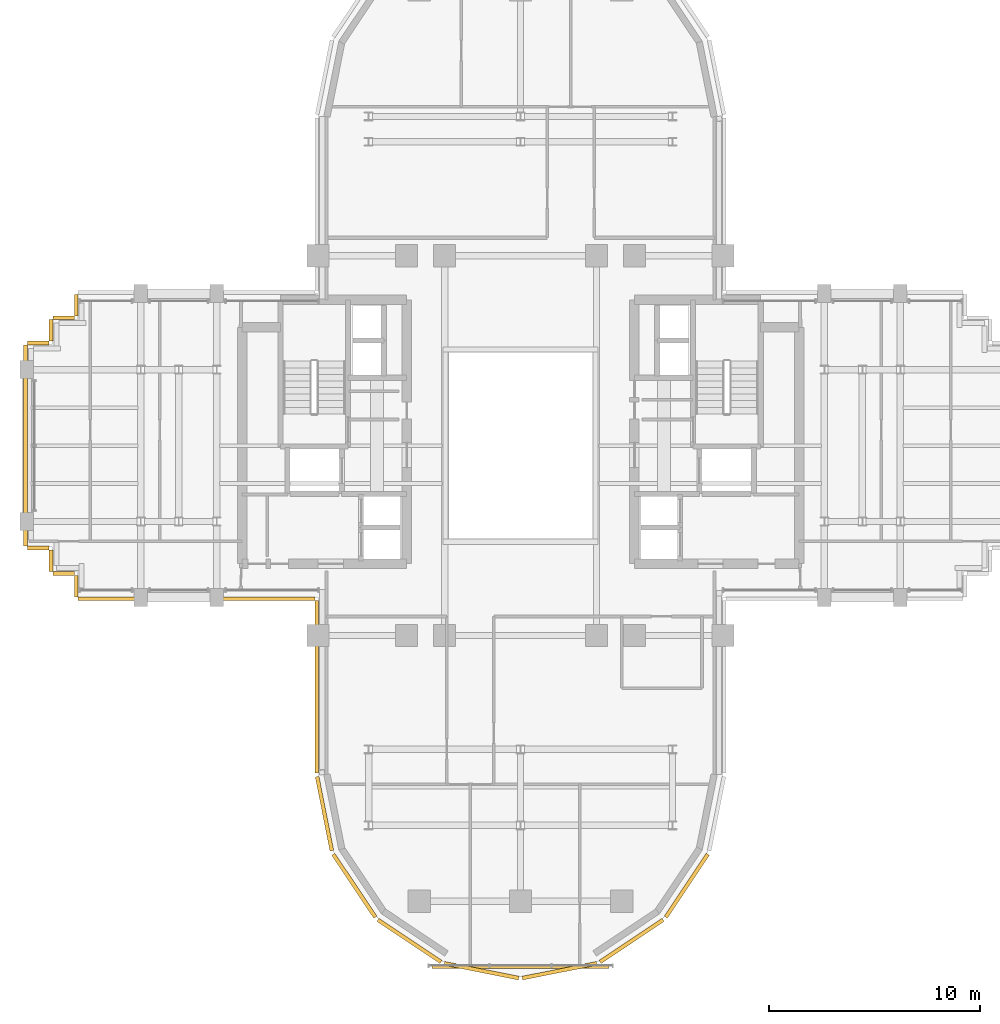
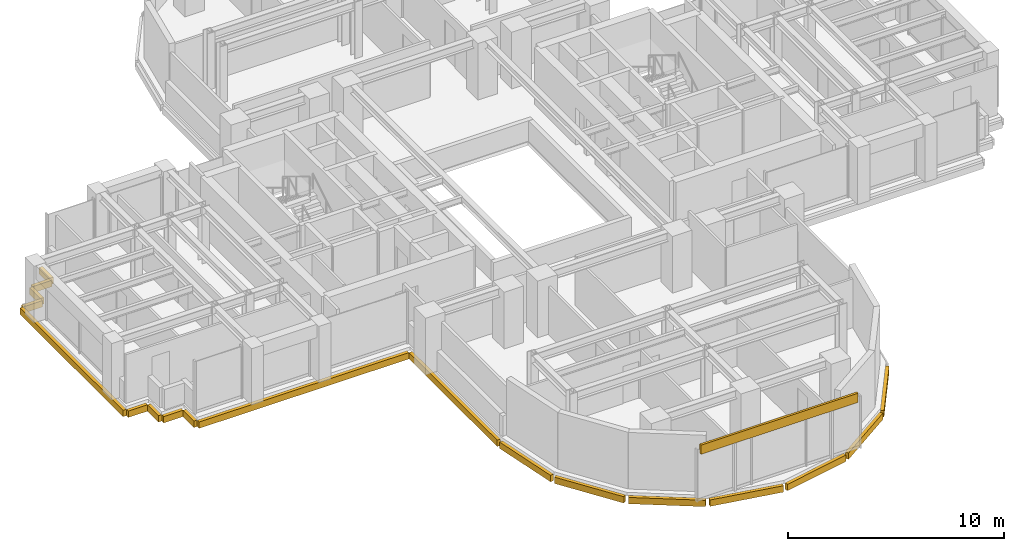
# One storey, part 12 of 14: 19 coverings.
"""IFC4 building model written with IfcOpenShell, lengths in metres."""

from ifc_helpers import new_model, si_unit, direction, frame, origin, origin_2d, place, context, subcontext, project, spatial, rectangle, extrude, source, transform, mapped, material, layer, layer_set, type_object, element, save


model = new_model("IFC4")

# Units and contexts
model_context = context("Model", 3, precision=1e-05, world=origin(), true_north=direction((0.0, 1.0)))
body_context = subcontext(model_context, "Body", "Model", "MODEL_VIEW")
ifc_project = project(units=[si_unit("LENGTHUNIT", "METRE"), si_unit("AREAUNIT", "SQUARE_METRE"), si_unit("VOLUMEUNIT", "CUBIC_METRE"), si_unit("PLANEANGLEUNIT", "RADIAN"), si_unit("MASSUNIT", "GRAM", prefix="KILO")], contexts=[model_context])

# Site, building, storey
site_placement = place(None, origin())
site = spatial("IfcSite", under=ifc_project, at=site_placement, CompositionType="ELEMENT")
building_placement = place(site_placement, origin())
building = spatial("IfcBuilding", under=site, at=building_placement, Name="Keilestroom Media Tower", CompositionType="ELEMENT")
storey_placement = place(building_placement, frame((0.0, 0.0, 124.39990234375)))
storey = spatial("IfcBuildingStorey", under=building, at=storey_placement, Name="L33", CompositionType="ELEMENT", Elevation=124.39990234375)

# Coverings
ifc_material = material(Name="Precast concrete C40/50", Category="concrete")
ifc_layer = layer(ifc_material, 0.1201171875)
ifc_layer_set = layer_set([ifc_layer], Name="Precast concrete C40/50")
covering_type = type_object("IfcCoveringType", Name="Exterior-Precast-Spandrel-Cladding-Panel-120", PredefinedType="CLADDING", material=ifc_layer_set)
shared_shape_1 = source(origin(), body_context, "Body", "SweptSolid", [
    extrude(rectangle(XDim=8.39990234375, YDim=0.1201171875, at=origin_2d()), origin(), (0.0, 0.0, 1.0), 0.52001953125),
])
covering_1_placement = place(storey_placement, frame((0.0, -24.719970703125, 2.690185546875), z_axis=(0.0, 0.0, 1.0), x_axis=(1.0, 0.0, 0.0)))
element("IfcCovering", 1, at=covering_1_placement, inside=storey, type_object=covering_type, Name="L33 Precast Spandrel Cladding S", PredefinedType="CLADDING", context=body_context, shape_type="MappedRepresentation", body=[
    mapped(shared_shape_1, transform((0.0, 0.0, 0.0), x_axis=(1.0, 0.0, 0.0), y_axis=(0.0, 1.0, 0.0), z_axis=(0.0, 0.0, 1.0), scale=1.0)),
])
shared_shape_2 = source(origin(), body_context, "Body", "SweptSolid", [
    extrude(rectangle(XDim=1.02001953125, YDim=0.179931640625, at=origin_2d()), origin(), (0.0, 0.0, 1.0), 0.360107421875),
])
for number, where, z_axis, x_axis, name in (
    (2, (-21.06005859375, -6.659912109375, -0.5400390625), (0.0, 0.0, 1.0), (0.0, 1.0, 0.0), "L33 Precast Slab-Edge Fascia Cornice 17"),
    (3, (-21.659912109375, -6.06005859375, -0.5400390625), (0.0, 0.0, 1.0), (-1.0, 0.0, 0.0), "L33 Precast Slab-Edge Fascia Cornice 18"),
    (4, (-22.260009765625, -5.4599609375, -0.5400390625), (0.0, 0.0, 1.0), (0.0, 1.0, 0.0), "L33 Precast Slab-Edge Fascia Cornice 19"),
    (5, (-22.860107421875, -4.860107421875, -0.5400390625), (0.0, 0.0, 1.0), (-1.0, 0.0, 0.0), "L33 Precast Slab-Edge Fascia Cornice 20"),
    (6, (-22.860107421875, 4.860107421875, -0.5400390625), (0.0, 0.0, 1.0), (1.0, 0.0, 0.0), "L33 Precast Slab-Edge Fascia Cornice 22"),
    (7, (-22.260009765625, 5.4599609375, -0.5400390625), (0.0, 0.0, 1.0), (0.0, 1.0, 0.0), "L33 Precast Slab-Edge Fascia Cornice 23"),
    (8, (-21.659912109375, 6.06005859375, -0.5400390625), (0.0, 0.0, 1.0), (1.0, 0.0, 0.0), "L33 Precast Slab-Edge Fascia Cornice 24"),
    (9, (-21.06005859375, 6.659912109375, -0.5400390625), (0.0, 0.0, 1.0), (0.0, 1.0, 0.0), "L33 Precast Slab-Edge Fascia Cornice 25"),
):
    element("IfcCovering", number, at=place(storey_placement, frame(where, z_axis=z_axis, x_axis=x_axis)), inside=storey, type_object=covering_type, Name=name, PredefinedType="CLADDING", context=body_context, shape_type="MappedRepresentation", body=[
        mapped(shared_shape_2, transform((0.0, 0.0, 0.0), x_axis=(1.0, 0.0, 0.0), y_axis=(0.0, 1.0, 0.0), z_axis=(0.0, 0.0, 1.0), scale=1.0)),
    ])
shared_shape_3 = source(origin(), body_context, "Body", "SweptSolid", [
    extrude(rectangle(XDim=8.166015625, YDim=0.179931640625, at=origin_2d()), origin(), (0.0, 0.0, 1.0), 0.360107421875),
])
covering_2_placement = place(storey_placement, frame((-9.659912109375, -11.43310546875, -0.5400390625), z_axis=(0.0, 0.0, 1.0), x_axis=(0.0, 1.0, 0.0)))
element("IfcCovering", 10, at=covering_2_placement, inside=storey, type_object=covering_type, Name="L33 Precast Slab-Edge Fascia Cornice 15", PredefinedType="CLADDING", context=body_context, shape_type="MappedRepresentation", body=[
    mapped(shared_shape_3, transform((0.0, 0.0, 0.0), x_axis=(1.0, 0.0, 0.0), y_axis=(0.0, 1.0, 0.0), z_axis=(0.0, 0.0, 1.0), scale=1.0)),
])
shared_shape_4 = source(origin(), body_context, "Body", "SweptSolid", [
    extrude(rectangle(XDim=3.58349609375, YDim=0.179931640625, at=origin_2d()), origin(), (0.0, 0.0, 1.0), 0.360107421875),
])
covering_3_placement = place(storey_placement, frame((-9.29296875, -17.45166015625, -0.5400390625), z_axis=(0.0, 0.0, 1.0), x_axis=(-0.195098880975, 0.980783577882, 0.0)))
element("IfcCovering", 11, at=covering_3_placement, inside=storey, type_object=covering_type, Name="L33 Precast Slab-Edge Fascia Cornice 14", PredefinedType="CLADDING", context=body_context, shape_type="MappedRepresentation", body=[
    mapped(shared_shape_4, transform((0.0, 0.0, 0.0), x_axis=(1.0, 0.0, 0.0), y_axis=(0.0, 1.0, 0.0), z_axis=(0.0, 0.0, 1.0), scale=1.0)),
])
shared_shape_5 = source(origin(), body_context, "Body", "SweptSolid", [
    extrude(rectangle(XDim=3.589599609375, YDim=0.179931640625, at=origin_2d()), origin(), (0.0, 0.0, 1.0), 0.360107421875),
])
for number, where, z_axis, x_axis, name in (
    (12, (7.878662109375, -20.8642578125, -0.5400390625), (0.0, 0.0, 1.0), (-0.555574586577, -0.831466703332, 0.0), "L33 Precast Slab-Edge Fascia Cornice 08"),
    (13, (5.264404296875, -23.478515625, -0.5400390625), (0.0, 0.0, 1.0), (-0.831466703332, -0.555574586577, 0.0), "L33 Precast Slab-Edge Fascia Cornice 09"),
    (14, (1.8486328125, -24.893310546875, -0.5400390625), (0.0, 0.0, 1.0), (-0.980783577882, -0.195098880975, 0.0), "L33 Precast Slab-Edge Fascia Cornice 10"),
    (15, (-1.8486328125, -24.893310546875, -0.5400390625), (0.0, 0.0, 1.0), (-0.980783577882, 0.195098880975, 0.0), "L33 Precast Slab-Edge Fascia Cornice 11"),
    (16, (-5.264404296875, -23.478515625, -0.5400390625), (0.0, 0.0, 1.0), (-0.831466703332, 0.555574586577, 0.0), "L33 Precast Slab-Edge Fascia Cornice 12"),
    (17, (-7.878662109375, -20.8642578125, -0.5400390625), (0.0, 0.0, 1.0), (-0.555574586577, 0.831466703332, 0.0), "L33 Precast Slab-Edge Fascia Cornice 13"),
):
    element("IfcCovering", number, at=place(storey_placement, frame(where, z_axis=z_axis, x_axis=x_axis)), inside=storey, type_object=covering_type, Name=name, PredefinedType="CLADDING", context=body_context, shape_type="MappedRepresentation", body=[
        mapped(shared_shape_5, transform((0.0, 0.0, 0.0), x_axis=(1.0, 0.0, 0.0), y_axis=(0.0, 1.0, 0.0), z_axis=(0.0, 0.0, 1.0), scale=1.0)),
    ])
shared_shape_6 = source(origin(), body_context, "Body", "SweptSolid", [
    extrude(rectangle(XDim=9.5400390625, YDim=0.179931640625, at=origin_2d()), origin(), (0.0, 0.0, 1.0), 0.360107421875),
])
covering_4_placement = place(storey_placement, frame((-23.4599609375, 0.0, -0.5400390625), z_axis=(0.0, 0.0, 1.0), x_axis=(0.0, 1.0, 0.0)))
element("IfcCovering", 18, at=covering_4_placement, inside=storey, type_object=covering_type, Name="L33 Precast Slab-Edge Fascia Cornice 21", PredefinedType="CLADDING", context=body_context, shape_type="MappedRepresentation", body=[
    mapped(shared_shape_6, transform((0.0, 0.0, 0.0), x_axis=(1.0, 0.0, 0.0), y_axis=(0.0, 1.0, 0.0), z_axis=(0.0, 0.0, 1.0), scale=1.0)),
])
shared_shape_7 = source(origin(), body_context, "Body", "SweptSolid", [
    extrude(rectangle(XDim=11.219970703125, YDim=0.179931640625, at=origin_2d()), origin(), (0.0, 0.0, 1.0), 0.360107421875),
])
covering_5_placement = place(storey_placement, frame((-15.360107421875, -7.260009765625, -0.5400390625), z_axis=(0.0, 0.0, 1.0), x_axis=(-1.0, 0.0, 0.0)))
element("IfcCovering", 19, at=covering_5_placement, inside=storey, type_object=covering_type, Name="L33 Precast Slab-Edge Fascia Cornice 16", PredefinedType="CLADDING", context=body_context, shape_type="MappedRepresentation", body=[
    mapped(shared_shape_7, transform((0.0, 0.0, 0.0), x_axis=(1.0, 0.0, 0.0), y_axis=(0.0, 1.0, 0.0), z_axis=(0.0, 0.0, 1.0), scale=1.0)),
])

save(model, "model.ifc")
